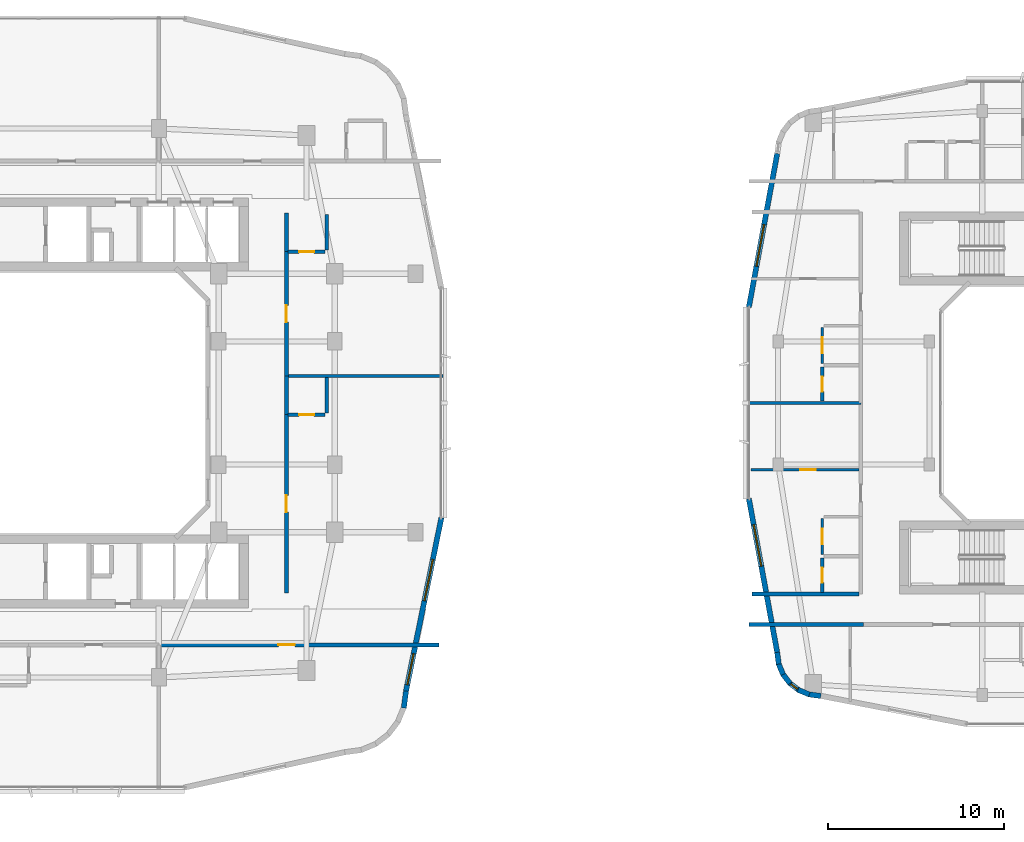
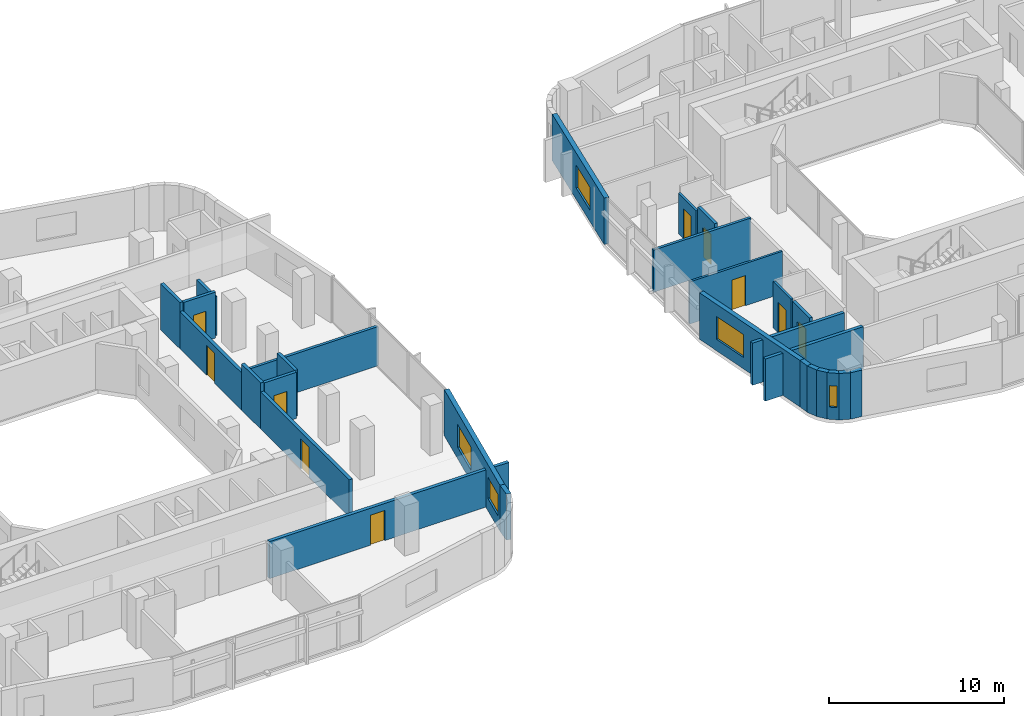
# One storey, part 14 of 25: 28 walls, 10 doors, 5 windows, 15 openings.
"""IFC4 building model written with IfcOpenShell, lengths in metres."""

from ifc_helpers import new_model, si_unit, derived_unit, direction, frame, frame_2d, origin, place, context, subcontext, project, spatial, rectangle, extrude, material, layer, layer_set, type_object, element, fill, save


model = new_model("IFC4")

# Units and contexts
model_context = context("Model", 3, precision=1e-05, world=origin(), true_north=direction((0.0, 1.0)))
body_context = subcontext(model_context, "Body", "Model", "MODEL_VIEW")
ifc_project = project(units=[si_unit("LENGTHUNIT", "METRE"), si_unit("AREAUNIT", "SQUARE_METRE"), si_unit("VOLUMEUNIT", "CUBIC_METRE"), si_unit("PLANEANGLEUNIT", "RADIAN"), si_unit("MASSUNIT", "GRAM", prefix="KILO"), derived_unit("THERMALTRANSMITTANCEUNIT", [(si_unit("POWERUNIT", "WATT"), 1), (si_unit("LENGTHUNIT", "METRE"), -2), (si_unit("THERMODYNAMICTEMPERATUREUNIT", "KELVIN"), -1)])], contexts=[model_context])

# Site, building, storey
site_placement = place(None, origin())
site = spatial("IfcSite", under=ifc_project, at=site_placement, CompositionType="ELEMENT")
building_placement = place(site_placement, origin())
building = spatial("IfcBuilding", under=site, at=building_placement, Name="Kivonza Crest Hotel", CompositionType="ELEMENT")
storey_placement = place(building_placement, frame((0.0, 0.0, 83.5)))
storey = spatial("IfcBuildingStorey", under=building, at=storey_placement, Name="L22", CompositionType="ELEMENT", Elevation=83.5)

# Walls
ifc_material_1 = material(Name="High-density acoustic masonry inter-tenancy wall", Category="masonry")
ifc_layer_1 = layer(ifc_material_1, 0.179931640625)
ifc_layer_set_1 = layer_set([ifc_layer_1], Name="High-density acoustic masonry inter-tenancy wall")
wall_type_1 = type_object("IfcWallType", Name="WL-ACOU-180", PredefinedType="SOLIDWALL", material=ifc_layer_set_1)
wall_1_placement = place(storey_placement, frame((33.050048828125, 26.5400390625, 0.0), z_axis=(0.0, 0.0, 1.0), x_axis=(1.0, 0.0, 0.0)))
element("IfcWall", 1, at=wall_1_placement, inside=storey, type_object=wall_type_1, Name="L22 interior partition WA-L22-T1E-DIV1", PredefinedType="SOLIDWALL", context=body_context, shape_type="SweptSolid", body=[
    extrude(rectangle(XDim=8.889892578125, YDim=0.179931640625, at=frame_2d((4.44482421875, 0.0))), origin(), (0.0, 0.0, 1.0), 2.7451171875),
])
wall_2_placement = place(storey_placement, frame((59.260009765625, 25.0, 0.0), z_axis=(0.0, 0.0, 1.0), x_axis=(1.0, 0.0, 0.0)))
element("IfcWall", 2, at=wall_2_placement, inside=storey, type_object=wall_type_1, Name="L22 interior partition WA-L22-T2W-DIV1", PredefinedType="SOLIDWALL", context=body_context, shape_type="SweptSolid", body=[
    extrude(rectangle(XDim=6.43994140625, YDim=0.179931640625, at=frame_2d((3.219970703125, 0.0))), origin(), (0.0, 0.0, 1.0), 2.945068359375),
])

# Wall, opening, door
ifc_material_2 = material(Name="Autoclaved aerated concrete blockwork", Category="masonry")
ifc_layer_2 = layer(ifc_material_2, 0.219970703125)
ifc_layer_set_2 = layer_set([ifc_layer_2], Name="Autoclaved aerated concrete blockwork")
wall_type_2 = type_object("IfcWallType", Name="WL-ACOU-220", PredefinedType="SOLIDWALL", material=ifc_layer_set_2)
wall_3_placement = place(storey_placement, frame((25.89990234375, 11.25, 0.0), z_axis=(0.0, 0.0, 1.0), x_axis=(1.0, 0.0, 0.0)))
wall_3 = element("IfcWall", 3, at=wall_3_placement, inside=storey, type_object=wall_type_2, Name="L22 interior partition WA-L22-BUS-MTG-N", PredefinedType="SOLIDWALL", context=body_context, shape_type="SweptSolid", body=[
    extrude(rectangle(XDim=15.840087890625, YDim=0.219970703125, at=frame_2d((7.919921875, 0.0))), origin(), (0.0, 0.0, 1.0), 2.594970703125),
])
opening_1_placement = place(wall_3_placement, frame((6.69091796875, 0.0, 0.0)))
opening_1 = element("IfcOpeningElement", 4, at=opening_1_placement, cuts=wall_3, Name="Opening DF-60S", PredefinedType="OPENING", context=body_context, shape_type="SweptSolid", body=[
    extrude(rectangle(XDim=0.949951171875, YDim=2.10009765625, at=frame_2d((0.47509765625, 1.050048828125))), frame((0.0, 0.1201171875, 0.0), z_axis=(0.0, -1.0, 0.0), x_axis=(1.0, 0.0, 0.0)), (0.0, 0.0, 1.0), 0.239990234375),
])
ifc_material_3 = material(Name="Hardwood timber oak", Category="wood")
door_type_1 = type_object("IfcDoorType", Name="DR-FD60-950", OperationType="NOTDEFINED", PredefinedType="DOOR", material=ifc_material_3)
door_1_placement = place(opening_1_placement, frame((0.949951171875, 0.0, 0.0), z_axis=(0.0, 0.0, 1.0), x_axis=(-1.0, 0.0, 0.0)))
door_1 = element("IfcDoor", 5, at=door_1_placement, inside=storey, type_object=door_type_1, Name="L22 Guest Business Office door", OperationType="SINGLE_SWING_RIGHT", OverallHeight=2.10009765625, OverallWidth=0.949951171875, PredefinedType="DOOR", context=body_context, shape_type="SweptSolid", body=[
    extrude(rectangle(XDim=0.949951171875, YDim=2.10009765625, at=frame_2d((0.47509765625, 1.050048828125))), frame((0.0, 0.02490234375, 0.0), z_axis=(0.0, -1.0, 0.0), x_axis=(1.0, 0.0, 0.0)), (0.0, 0.0, 1.0), 0.050048828125),
])
fill(opening_1, door_1)

# Wall
wall_4_placement = place(storey_placement, frame((33.050048828125, 24.340087890625, 0.0), z_axis=(0.0, 0.0, 1.0), x_axis=(0.0, 1.0, 0.0)))
element("IfcWall", 6, at=wall_4_placement, inside=storey, type_object=wall_type_2, Name="L22 interior partition WA-L22-E08-BCORR", PredefinedType="SOLIDWALL", context=body_context, shape_type="SweptSolid", body=[
    extrude(rectangle(XDim=2.199951171875, YDim=0.219970703125, at=frame_2d((1.10009765625, 0.0))), origin(), (0.0, 0.0, 1.0), 3.219970703125),
])

# Wall, opening, door
wall_5_placement = place(storey_placement, frame((33.050048828125, 14.199951171875, 0.0), z_axis=(0.0, 0.0, 1.0), x_axis=(0.0, 1.0, 0.0)))
wall_5 = element("IfcWall", 7, at=wall_5_placement, inside=storey, type_object=wall_type_2, Name="L22 interior partition WA-L22-E08-MCORR", PredefinedType="SOLIDWALL", context=body_context, shape_type="SweptSolid", body=[
    extrude(rectangle(XDim=10.14013671875, YDim=0.219970703125, at=frame_2d((5.070068359375, 0.0))), origin(), (0.0, 0.0, 1.0), 2.594970703125),
])
opening_2_placement = place(wall_5_placement, frame((4.594970703125, 0.0, 0.0)))
opening_2 = element("IfcOpeningElement", 8, at=opening_2_placement, cuts=wall_5, Name="Opening DU-60", PredefinedType="OPENING", context=body_context, shape_type="SweptSolid", body=[
    extrude(rectangle(XDim=0.949951171875, YDim=2.10009765625, at=frame_2d((0.47509765625, 1.050048828125))), frame((0.0, 0.1201171875, 0.0), z_axis=(0.0, -1.0, 0.0), x_axis=(1.0, 0.0, 0.0)), (0.0, 0.0, 1.0), 0.239990234375),
])
door_type_2 = type_object("IfcDoorType", Name="DR-UNIT-950", OperationType="NOTDEFINED", PredefinedType="DOOR", material=ifc_material_3)
door_2_placement = place(opening_2_placement, frame((0.949951171875, 0.0, 0.0), z_axis=(0.0, 0.0, 1.0), x_axis=(-1.0, 0.0, 0.0)))
door_2 = element("IfcDoor", 9, at=door_2_placement, inside=storey, type_object=door_type_2, Name="L22 E08 guest unit entrance fire door", OperationType="SINGLE_SWING_RIGHT", OverallHeight=2.10009765625, OverallWidth=0.949951171875, PredefinedType="DOOR", context=body_context, shape_type="SweptSolid", body=[
    extrude(rectangle(XDim=0.949951171875, YDim=2.10009765625, at=frame_2d((0.47509765625, 1.050048828125))), frame((0.0, 0.02490234375, 0.0), z_axis=(0.0, -1.0, 0.0), x_axis=(1.0, 0.0, 0.0)), (0.0, 0.0, 1.0), 0.050048828125),
])
fill(opening_2, door_2)

# Wall
wall_6_placement = place(storey_placement, frame((33.050048828125, 33.60009765625, 0.0), z_axis=(0.0, 0.0, 1.0), x_axis=(0.0, 1.0, 0.0)))
element("IfcWall", 10, at=wall_6_placement, inside=storey, type_object=wall_type_2, Name="L22 interior partition WA-L22-E09-BCORR", PredefinedType="SOLIDWALL", context=body_context, shape_type="SweptSolid", body=[
    extrude(rectangle(XDim=2.199951171875, YDim=0.219970703125, at=frame_2d((1.10009765625, 0.0))), origin(), (0.0, 0.0, 1.0), 3.219970703125),
])

# Wall, opening, door
wall_7_placement = place(storey_placement, frame((33.050048828125, 26.5400390625, 0.0), z_axis=(0.0, 0.0, 1.0), x_axis=(0.0, 1.0, 0.0)))
wall_7 = element("IfcWall", 11, at=wall_7_placement, inside=storey, type_object=wall_type_2, Name="L22 interior partition WA-L22-E09-MCORR", PredefinedType="SOLIDWALL", context=body_context, shape_type="SweptSolid", body=[
    extrude(rectangle(XDim=7.06005859375, YDim=0.219970703125, at=frame_2d((3.530029296875, 0.0))), origin(), (0.0, 0.0, 1.0), 2.594970703125),
])
opening_3_placement = place(wall_7_placement, frame((3.054931640625, 0.0, 0.0)))
opening_3 = element("IfcOpeningElement", 12, at=opening_3_placement, cuts=wall_7, Name="Opening DU-60", PredefinedType="OPENING", context=body_context, shape_type="SweptSolid", body=[
    extrude(rectangle(XDim=0.949951171875, YDim=2.10009765625, at=frame_2d((0.47509765625, 1.050048828125))), frame((0.0, 0.1201171875, 0.0), z_axis=(0.0, -1.0, 0.0), x_axis=(1.0, 0.0, 0.0)), (0.0, 0.0, 1.0), 0.239990234375),
])
door_3_placement = place(opening_3_placement, frame((0.949951171875, 0.0, 0.0), z_axis=(0.0, 0.0, 1.0), x_axis=(-1.0, 0.0, 0.0)))
door_3 = element("IfcDoor", 13, at=door_3_placement, inside=storey, type_object=door_type_2, Name="L22 E09 guest unit entrance fire door", OperationType="SINGLE_SWING_LEFT", OverallHeight=2.10009765625, OverallWidth=0.949951171875, PredefinedType="DOOR", context=body_context, shape_type="SweptSolid", body=[
    extrude(rectangle(XDim=0.949951171875, YDim=2.10009765625, at=frame_2d((0.47509765625, 1.050048828125))), frame((0.0, 0.02490234375, 0.0), z_axis=(0.0, -1.0, 0.0), x_axis=(1.0, 0.0, 0.0)), (0.0, 0.0, 1.0), 0.050048828125),
])
fill(opening_3, door_3)

# Walls
wall_8_placement = place(storey_placement, frame((59.360107421875, 12.39990234375, 0.0), z_axis=(0.0, 0.0, 1.0), x_axis=(1.0, 0.0, 0.0)))
element("IfcWall", 14, at=wall_8_placement, inside=storey, type_object=wall_type_2, Name="L22 interior partition WA-L22-A03-LCORR", PredefinedType="SOLIDWALL", context=body_context, shape_type="SweptSolid", body=[
    extrude(rectangle(XDim=6.489990234375, YDim=0.219970703125, at=frame_2d((3.2451171875, 0.0))), origin(), (0.0, 0.0, 1.0), 2.945068359375),
])
wall_9_placement = place(storey_placement, frame((59.52001953125, 14.139892578125, 0.0), z_axis=(0.0, 0.0, 1.0), x_axis=(1.0, 0.0, 0.0)))
element("IfcWall", 15, at=wall_9_placement, inside=storey, type_object=wall_type_2, Name="L22 interior partition WA-L22-T2W-ENDS", PredefinedType="SOLIDWALL", context=body_context, shape_type="SweptSolid", body=[
    extrude(rectangle(XDim=6.080078125, YDim=0.219970703125, at=frame_2d((3.0400390625, 0.0))), origin(), (0.0, 0.0, 1.0), 2.945068359375),
])
ifc_material_4 = material(Name="Precast concrete C40/50", Category="concrete")
ifc_layer_3 = layer(ifc_material_4, 0.300048828125)
ifc_layer_set_3 = layer_set([ifc_layer_3], Name="Precast concrete C40/50")
wall_type_3 = type_object("IfcWallType", Name="WL-EXT-300", PredefinedType="STANDARD", material=ifc_layer_set_3)
wall_10_placement = place(storey_placement, frame((39.72509765625, 7.6630859375, 0.0), z_axis=(0.0, 0.0, 1.0), x_axis=(0.130454512571, 0.991454295543, 0.0)))
element("IfcWall", 16, at=wall_10_placement, inside=storey, type_object=wall_type_3, Name="L22 T1 exterior insulated wall 15", PredefinedType="STANDARD", context=body_context, shape_type="SweptSolid", body=[
    extrude(rectangle(XDim=0.97314453125, YDim=0.300048828125, at=frame_2d((0.486572265625, 0.0))), origin(), (0.0, 0.0, 1.0), 3.219970703125),
])

# Wall, openings, windows
wall_11_placement = place(storey_placement, frame((39.85107421875, 8.6220703125, 0.0), z_axis=(0.0, 0.0, 1.0), x_axis=(0.199990901713, 0.979797754249, 0.0)))
wall_11 = element("IfcWall", 17, at=wall_11_placement, inside=storey, type_object=wall_type_3, Name="L22 T1 exterior insulated wall 16", PredefinedType="STANDARD", context=body_context, shape_type="SweptSolid", body=[
    extrude(rectangle(XDim=10.065185546875, YDim=0.300048828125, at=frame_2d((5.03271484375, 0.0))), origin(), (0.0, 0.0, 1.0), 3.219970703125),
])
opening_4_placement = place(wall_11_placement, frame((0.3779296875, 0.0, 0.85009765625)))
opening_4 = element("IfcOpeningElement", 18, at=opening_4_placement, cuts=wall_11, Name="Opening WN-03", PredefinedType="OPENING", context=body_context, shape_type="SweptSolid", body=[
    extrude(rectangle(XDim=1.800048828125, YDim=1.5, at=frame_2d((0.89990234375, 0.75))), frame((0.0, 0.16015625, 0.0), z_axis=(0.0, -1.0, 0.0), x_axis=(1.0, 0.0, 0.0)), (0.0, 0.0, 1.0), 0.320068359375),
])
opening_5_placement = place(wall_11_placement, frame((5.236083984375, 0.0, 0.800048828125)))
opening_5 = element("IfcOpeningElement", 19, at=opening_5_placement, cuts=wall_11, Name="Opening WN-05", PredefinedType="OPENING", context=body_context, shape_type="SweptSolid", body=[
    extrude(rectangle(XDim=2.39990234375, YDim=1.60009765625, at=frame_2d((1.199951171875, 0.800048828125))), frame((0.0, 0.16015625, 0.0), z_axis=(0.0, -1.0, 0.0), x_axis=(1.0, 0.0, 0.0)), (0.0, 0.0, 1.0), 0.320068359375),
])
ifc_material_5 = material(Name="Thermally broken bronze aluminium and low-E double glazing", Category="aluminium")
window_type_1 = type_object("IfcWindowType", Name="WN-180x150", PartitioningType="DOUBLE_PANEL_VERTICAL", PredefinedType="WINDOW", material=ifc_material_5)
window_1_placement = place(opening_4_placement, origin())
window_1 = element("IfcWindow", 20, at=window_1_placement, inside=storey, type_object=window_type_1, Name="L22 T1 facade window 16 bay 1", OverallHeight=1.5, OverallWidth=1.800048828125, PartitioningType="SINGLE_PANEL", PredefinedType="WINDOW", context=body_context, shape_type="SweptSolid", body=[
    extrude(rectangle(XDim=1.800048828125, YDim=1.5, at=frame_2d((0.89990234375, 0.75))), frame((0.0, 0.030029296875, 0.0), z_axis=(0.0, -1.0, 0.0), x_axis=(1.0, 0.0, 0.0)), (0.0, 0.0, 1.0), 0.06005859375),
])
fill(opening_4, window_1)
window_type_2 = type_object("IfcWindowType", Name="WN-240x160", PartitioningType="TRIPLE_PANEL_VERTICAL", PredefinedType="WINDOW", material=ifc_material_5)
window_2_placement = place(opening_5_placement, origin())
window_2 = element("IfcWindow", 21, at=window_2_placement, inside=storey, type_object=window_type_2, Name="L22 T1 facade window 16 bay 2", OverallHeight=1.60009765625, OverallWidth=2.39990234375, PartitioningType="SINGLE_PANEL", PredefinedType="WINDOW", context=body_context, shape_type="SweptSolid", body=[
    extrude(rectangle(XDim=2.39990234375, YDim=1.60009765625, at=frame_2d((1.199951171875, 0.800048828125))), frame((0.0, 0.030029296875, 0.0), z_axis=(0.0, -1.0, 0.0), x_axis=(1.0, 0.0, 0.0)), (0.0, 0.0, 1.0), 0.06005859375),
])
fill(opening_5, window_2)

# Walls
wall_12_placement = place(storey_placement, frame((60.947998046875, 10.827880859375, 0.0), z_axis=(0.0, 0.0, 1.0), x_axis=(0.131667498923, -0.991293937098, 0.0)))
element("IfcWall", 22, at=wall_12_placement, inside=storey, type_object=wall_type_3, Name="L22 T2 exterior insulated wall 1", PredefinedType="STANDARD", context=body_context, shape_type="SweptSolid", body=[
    extrude(rectangle(XDim=0.6767578125, YDim=0.300048828125, at=frame_2d((0.33837890625, 0.0))), origin(), (0.0, 0.0, 1.0), 3.25),
])
wall_13_placement = place(storey_placement, frame((61.01806640625, 10.20703125, 0.0), z_axis=(0.0, 0.0, 1.0), x_axis=(0.381864727877, -0.92421822618, 0.0)))
element("IfcWall", 23, at=wall_13_placement, inside=storey, type_object=wall_type_3, Name="L22 T2 exterior insulated wall 2", PredefinedType="STANDARD", context=body_context, shape_type="SweptSolid", body=[
    extrude(rectangle(XDim=0.693603515625, YDim=0.300048828125, at=frame_2d((0.3466796875, 0.0))), origin(), (0.0, 0.0, 1.0), 3.25),
])
wall_14_placement = place(storey_placement, frame((61.251953125, 9.611083984375, 0.0), z_axis=(0.0, 0.0, 1.0), x_axis=(0.609693758543, -0.792637067512, 0.0)))
element("IfcWall", 24, at=wall_14_placement, inside=storey, type_object=wall_type_3, Name="L22 T2 exterior insulated wall 3", PredefinedType="STANDARD", context=body_context, shape_type="SweptSolid", body=[
    extrude(rectangle(XDim=0.69384765625, YDim=0.300048828125, at=frame_2d((0.346923828125, 0.0))), origin(), (0.0, 0.0, 1.0), 3.25),
])

# Wall, opening, window
wall_15_placement = place(storey_placement, frame((61.633056640625, 9.095947265625, 0.0), z_axis=(0.0, 0.0, 1.0), x_axis=(0.792807092876, -0.609472651958, 0.0)))
wall_15 = element("IfcWall", 25, at=wall_15_placement, inside=storey, type_object=wall_type_3, Name="L22 T2 exterior insulated wall 4", PredefinedType="STANDARD", context=body_context, shape_type="SweptSolid", body=[
    extrude(rectangle(XDim=0.69384765625, YDim=0.300048828125, at=frame_2d((0.346923828125, 0.0))), origin(), (0.0, 0.0, 1.0), 3.25),
])
opening_6_placement = place(wall_15_placement, frame((0.1220703125, 0.0, 0.85009765625)))
opening_6 = element("IfcOpeningElement", 26, at=opening_6_placement, cuts=wall_15, Name="Opening WN-11", PredefinedType="OPENING", context=body_context, shape_type="SweptSolid", body=[
    extrude(rectangle(XDim=0.449951171875, YDim=1.5, at=frame_2d((0.22509765625, 0.75))), frame((0.0, 0.16015625, 0.0), z_axis=(0.0, -1.0, 0.0), x_axis=(1.0, 0.0, 0.0)), (0.0, 0.0, 1.0), 0.320068359375),
])
window_type_3 = type_object("IfcWindowType", Name="WN-045x150", PartitioningType="SINGLE_PANEL", PredefinedType="WINDOW", material=ifc_material_5)
window_3_placement = place(opening_6_placement, origin())
window_3 = element("IfcWindow", 27, at=window_3_placement, inside=storey, type_object=window_type_3, Name="L22 corner vision window 3", OverallHeight=1.5, OverallWidth=0.449951171875, PartitioningType="SINGLE_PANEL", PredefinedType="WINDOW", context=body_context, shape_type="SweptSolid", body=[
    extrude(rectangle(XDim=0.449951171875, YDim=1.5, at=frame_2d((0.22509765625, 0.75))), frame((0.0, 0.030029296875, 0.0), z_axis=(0.0, -1.0, 0.0), x_axis=(1.0, 0.0, 0.0)), (0.0, 0.0, 1.0), 0.06005859375),
])
fill(opening_6, window_3)

# Walls
wall_16_placement = place(storey_placement, frame((62.134033203125, 8.697021484375, 0.0), z_axis=(0.0, 0.0, 1.0), x_axis=(0.924042561464, -0.382289608286, 0.0)))
element("IfcWall", 28, at=wall_16_placement, inside=storey, type_object=wall_type_3, Name="L22 T2 exterior insulated wall 5", PredefinedType="STANDARD", context=body_context, shape_type="SweptSolid", body=[
    extrude(rectangle(XDim=0.693603515625, YDim=0.300048828125, at=frame_2d((0.3466796875, 0.0))), origin(), (0.0, 0.0, 1.0), 3.25),
])
wall_17_placement = place(storey_placement, frame((62.721923828125, 8.44091796875, 0.0), z_axis=(0.0, 0.0, 1.0), x_axis=(0.991433279471, -0.130614135366, 0.0)))
element("IfcWall", 29, at=wall_17_placement, inside=storey, type_object=wall_type_3, Name="L22 T2 exterior insulated wall 6", PredefinedType="STANDARD", context=body_context, shape_type="SweptSolid", body=[
    extrude(rectangle(XDim=0.712158203125, YDim=0.300048828125, at=frame_2d((0.35595703125, 0.0))), origin(), (0.0, 0.0, 1.0), 3.25),
])

# Wall, opening, window
wall_18_placement = place(storey_placement, frame((60.948974609375, 39.180908203125, 0.0), z_axis=(0.0, 0.0, 1.0), x_axis=(-0.181241420611, -0.983438634311, 0.0)))
wall_18 = element("IfcWall", 30, at=wall_18_placement, inside=storey, type_object=wall_type_3, Name="L22 T2 exterior insulated wall 34", PredefinedType="STANDARD", context=body_context, shape_type="SweptSolid", body=[
    extrude(rectangle(XDim=8.88916015625, YDim=0.300048828125, at=frame_2d((4.444580078125, 0.0))), origin(), (0.0, 0.0, 1.0), 3.25),
])
opening_7_placement = place(wall_18_placement, frame((4.10888671875, 0.0, 0.800048828125)))
opening_7 = element("IfcOpeningElement", 31, at=opening_7_placement, cuts=wall_18, Name="Opening WN-05", PredefinedType="OPENING", context=body_context, shape_type="SweptSolid", body=[
    extrude(rectangle(XDim=2.39990234375, YDim=1.60009765625, at=frame_2d((1.199951171875, 0.800048828125))), frame((0.0, 0.16015625, 0.0), z_axis=(0.0, -1.0, 0.0), x_axis=(1.0, 0.0, 0.0)), (0.0, 0.0, 1.0), 0.320068359375),
])
window_4_placement = place(opening_7_placement, origin())
window_4 = element("IfcWindow", 32, at=window_4_placement, inside=storey, type_object=window_type_2, Name="L22 T2 facade window 34", OverallHeight=1.60009765625, OverallWidth=2.39990234375, PartitioningType="SINGLE_PANEL", PredefinedType="WINDOW", context=body_context, shape_type="SweptSolid", body=[
    extrude(rectangle(XDim=2.39990234375, YDim=1.60009765625, at=frame_2d((1.199951171875, 0.800048828125))), frame((0.0, 0.030029296875, 0.0), z_axis=(0.0, -1.0, 0.0), x_axis=(1.0, 0.0, 0.0)), (0.0, 0.0, 1.0), 0.06005859375),
])
fill(opening_7, window_4)

wall_19_placement = place(storey_placement, frame((59.337890625, 19.56103515625, 0.0), z_axis=(0.0, 0.0, 1.0), x_axis=(0.181241420611, -0.983438634311, 0.0)))
wall_19 = element("IfcWall", 33, at=wall_19_placement, inside=storey, type_object=wall_type_3, Name="L22 T2 exterior insulated wall 36", PredefinedType="STANDARD", context=body_context, shape_type="SweptSolid", body=[
    extrude(rectangle(XDim=8.88916015625, YDim=0.300048828125, at=frame_2d((4.444580078125, 0.0))), origin(), (0.0, 0.0, 1.0), 3.25),
])
opening_8_placement = place(wall_19_placement, frame((1.4970703125, 0.0, 0.800048828125)))
opening_8 = element("IfcOpeningElement", 34, at=opening_8_placement, cuts=wall_19, Name="Opening WN-05", PredefinedType="OPENING", context=body_context, shape_type="SweptSolid", body=[
    extrude(rectangle(XDim=2.39990234375, YDim=1.60009765625, at=frame_2d((1.199951171875, 0.800048828125))), frame((0.0, 0.16015625, 0.0), z_axis=(0.0, -1.0, 0.0), x_axis=(1.0, 0.0, 0.0)), (0.0, 0.0, 1.0), 0.320068359375),
])
window_5_placement = place(opening_8_placement, origin())
window_5 = element("IfcWindow", 35, at=window_5_placement, inside=storey, type_object=window_type_2, Name="L22 T2 facade window 36", OverallHeight=1.60009765625, OverallWidth=2.39990234375, PartitioningType="SINGLE_PANEL", PredefinedType="WINDOW", context=body_context, shape_type="SweptSolid", body=[
    extrude(rectangle(XDim=2.39990234375, YDim=1.60009765625, at=frame_2d((1.199951171875, 0.800048828125))), frame((0.0, 0.030029296875, 0.0), z_axis=(0.0, -1.0, 0.0), x_axis=(1.0, 0.0, 0.0)), (0.0, 0.0, 1.0), 0.06005859375),
])
fill(opening_8, window_5)

# Wall, opening, door
ifc_material_6 = material(Name="Twin-stud acoustic gypsum board partition", Category="gypsum")
ifc_layer_4 = layer(ifc_material_6, 0.14990234375)
ifc_layer_set_4 = layer_set([ifc_layer_4], Name="Twin-stud acoustic gypsum board partition")
wall_type_4 = type_object("IfcWallType", Name="WL-PART-150", PredefinedType="PARTITIONING", material=ifc_layer_set_4)
wall_20_placement = place(storey_placement, frame((59.4599609375, 21.199951171875, 0.0), z_axis=(0.0, 0.0, 1.0), x_axis=(1.0, 0.0, 0.0)))
wall_20 = element("IfcWall", 36, at=wall_20_placement, inside=storey, type_object=wall_type_4, Name="L22 interior partition WP-L22-A05-BD1", PredefinedType="PARTITIONING", context=body_context, shape_type="SweptSolid", body=[
    extrude(rectangle(XDim=6.14013671875, YDim=0.14990234375, at=frame_2d((3.070068359375, 0.0))), origin(), (0.0, 0.0, 1.0), 2.945068359375),
])
opening_9_placement = place(wall_20_placement, frame((2.7900390625, 0.0, 0.0)))
opening_9 = element("IfcOpeningElement", 37, at=opening_9_placement, cuts=wall_20, Name="Opening DI-90", PredefinedType="OPENING", context=body_context, shape_type="SweptSolid", body=[
    extrude(rectangle(XDim=0.89990234375, YDim=2.10009765625, at=frame_2d((0.449951171875, 1.050048828125))), frame((0.0, 0.0849609375, 0.0), z_axis=(0.0, -1.0, 0.0), x_axis=(1.0, 0.0, 0.0)), (0.0, 0.0, 1.0), 0.169921875),
])
door_type_3 = type_object("IfcDoorType", Name="DR-INT-900", OperationType="NOTDEFINED", PredefinedType="DOOR", material=ifc_material_3)
door_4_placement = place(opening_9_placement, origin())
door_4 = element("IfcDoor", 38, at=door_4_placement, inside=storey, type_object=door_type_3, Name="L22 A05 bedroom door", OperationType="SINGLE_SWING_RIGHT", OverallHeight=2.10009765625, OverallWidth=0.89990234375, PredefinedType="DOOR", context=body_context, shape_type="SweptSolid", body=[
    extrude(rectangle(XDim=0.89990234375, YDim=2.10009765625, at=frame_2d((0.449951171875, 1.050048828125))), frame((0.0, 0.02490234375, 0.0), z_axis=(0.0, -1.0, 0.0), x_axis=(1.0, 0.0, 0.0)), (0.0, 0.0, 1.0), 0.050048828125),
])
fill(opening_9, door_4)

wall_21_placement = place(storey_placement, frame((63.5, 16.389892578125, 0.0), z_axis=(0.0, 0.0, 1.0), x_axis=(0.0, 1.0, 0.0)))
wall_21 = element("IfcWall", 39, at=wall_21_placement, inside=storey, type_object=wall_type_4, Name="L22 interior partition WP-L22-A05-KSVC", PredefinedType="PARTITIONING", context=body_context, shape_type="SweptSolid", body=[
    extrude(rectangle(XDim=2.050048828125, YDim=0.14990234375, at=frame_2d((1.02490234375, 0.0))), origin(), (0.0, 0.0, 1.0), 3.219970703125),
])
opening_10_placement = place(wall_21_placement, frame((0.574951171875, 0.0, 0.0)))
opening_10 = element("IfcOpeningElement", 40, at=opening_10_placement, cuts=wall_21, Name="Opening DI-90", PredefinedType="OPENING", context=body_context, shape_type="SweptSolid", body=[
    extrude(rectangle(XDim=0.89990234375, YDim=2.10009765625, at=frame_2d((0.449951171875, 1.050048828125))), frame((0.0, 0.0849609375, 0.0), z_axis=(0.0, -1.0, 0.0), x_axis=(1.0, 0.0, 0.0)), (0.0, 0.0, 1.0), 0.169921875),
])
door_5_placement = place(opening_10_placement, origin())
door_5 = element("IfcDoor", 41, at=door_5_placement, inside=storey, type_object=door_type_3, Name="L22 A05 apartment kitchen door", OperationType="SINGLE_SWING_LEFT", OverallHeight=2.10009765625, OverallWidth=0.89990234375, PredefinedType="DOOR", context=body_context, shape_type="SweptSolid", body=[
    extrude(rectangle(XDim=0.89990234375, YDim=2.10009765625, at=frame_2d((0.449951171875, 1.050048828125))), frame((0.0, 0.02490234375, 0.0), z_axis=(0.0, -1.0, 0.0), x_axis=(1.0, 0.0, 0.0)), (0.0, 0.0, 1.0), 0.050048828125),
])
fill(opening_10, door_5)

wall_22_placement = place(storey_placement, frame((63.5, 27.25, 0.0), z_axis=(0.0, 0.0, 1.0), x_axis=(0.0, 1.0, 0.0)))
wall_22 = element("IfcWall", 42, at=wall_22_placement, inside=storey, type_object=wall_type_4, Name="L22 interior partition WP-L22-A06-KSVC", PredefinedType="PARTITIONING", context=body_context, shape_type="SweptSolid", body=[
    extrude(rectangle(XDim=2.050048828125, YDim=0.14990234375, at=frame_2d((1.02490234375, 0.0))), origin(), (0.0, 0.0, 1.0), 2.824951171875),
])
opening_11_placement = place(wall_22_placement, frame((0.574951171875, 0.0, 0.0)))
opening_11 = element("IfcOpeningElement", 43, at=opening_11_placement, cuts=wall_22, Name="Opening DI-90", PredefinedType="OPENING", context=body_context, shape_type="SweptSolid", body=[
    extrude(rectangle(XDim=0.89990234375, YDim=2.10009765625, at=frame_2d((0.449951171875, 1.050048828125))), frame((0.0, 0.0849609375, 0.0), z_axis=(0.0, -1.0, 0.0), x_axis=(1.0, 0.0, 0.0)), (0.0, 0.0, 1.0), 0.169921875),
])
door_6_placement = place(opening_11_placement, origin())
door_6 = element("IfcDoor", 44, at=door_6_placement, inside=storey, type_object=door_type_3, Name="L22 A06 apartment kitchen door", OperationType="SINGLE_SWING_RIGHT", OverallHeight=2.10009765625, OverallWidth=0.89990234375, PredefinedType="DOOR", context=body_context, shape_type="SweptSolid", body=[
    extrude(rectangle(XDim=0.89990234375, YDim=2.10009765625, at=frame_2d((0.449951171875, 1.050048828125))), frame((0.0, 0.02490234375, 0.0), z_axis=(0.0, -1.0, 0.0), x_axis=(1.0, 0.0, 0.0)), (0.0, 0.0, 1.0), 0.050048828125),
])
fill(opening_11, door_6)

ifc_material_7 = material(Name="Moisture-resistant plumbing chase partition wall", Category="gypsum")
ifc_layer_5 = layer(ifc_material_7, 0.199951171875)
ifc_layer_set_5 = layer_set([ifc_layer_5], Name="Moisture-resistant plumbing chase partition wall")
wall_type_5 = type_object("IfcWallType", Name="WL-PLUMB-200", PredefinedType="PLUMBINGWALL", material=ifc_layer_set_5)
wall_23_placement = place(storey_placement, frame((33.14990234375, 24.340087890625, 0.0), z_axis=(0.0, 0.0, 1.0), x_axis=(1.0, 0.0, 0.0)))
wall_23 = element("IfcWall", 45, at=wall_23_placement, inside=storey, type_object=wall_type_5, Name="L22 interior partition WW-L22-E08-BH", PredefinedType="PLUMBINGWALL", context=body_context, shape_type="SweptSolid", body=[
    extrude(rectangle(XDim=2.10009765625, YDim=0.199951171875, at=frame_2d((1.050048828125, 0.0))), origin(), (0.0, 0.0, 1.0), 3.219970703125),
])
opening_12_placement = place(wall_23_placement, frame((0.625, 0.0, 0.0)))
opening_12 = element("IfcOpeningElement", 46, at=opening_12_placement, cuts=wall_23, Name="Opening DI-85", PredefinedType="OPENING", context=body_context, shape_type="SweptSolid", body=[
    extrude(rectangle(XDim=0.85009765625, YDim=2.10009765625, at=frame_2d((0.425048828125, 1.050048828125))), frame((0.0, 0.10986328125, 0.0), z_axis=(0.0, -1.0, 0.0), x_axis=(1.0, 0.0, 0.0)), (0.0, 0.0, 1.0), 0.219970703125),
])
door_type_4 = type_object("IfcDoorType", Name="DR-INT-850", OperationType="NOTDEFINED", PredefinedType="DOOR", material=ifc_material_3)
door_7_placement = place(opening_12_placement, frame((0.85009765625, 0.0, 0.0), z_axis=(0.0, 0.0, 1.0), x_axis=(-1.0, 0.0, 0.0)))
door_7 = element("IfcDoor", 47, at=door_7_placement, inside=storey, type_object=door_type_4, Name="L22 E08 en-suite bathroom door", OperationType="SINGLE_SWING_LEFT", OverallHeight=2.10009765625, OverallWidth=0.85009765625, PredefinedType="DOOR", context=body_context, shape_type="SweptSolid", body=[
    extrude(rectangle(XDim=0.85009765625, YDim=2.10009765625, at=frame_2d((0.425048828125, 1.050048828125))), frame((0.0, 0.02490234375, 0.0), z_axis=(0.0, -1.0, 0.0), x_axis=(1.0, 0.0, 0.0)), (0.0, 0.0, 1.0), 0.050048828125),
])
fill(opening_12, door_7)

# Wall
wall_24_placement = place(storey_placement, frame((35.35009765625, 24.43994140625, 0.0), z_axis=(0.0, 0.0, 1.0), x_axis=(0.0, 1.0, 0.0)))
element("IfcWall", 48, at=wall_24_placement, inside=storey, type_object=wall_type_5, Name="L22 interior partition WW-L22-E08-BV", PredefinedType="PLUMBINGWALL", context=body_context, shape_type="SweptSolid", body=[
    extrude(rectangle(XDim=2.0, YDim=0.199951171875, at=frame_2d((1.0, 0.0))), origin(), (0.0, 0.0, 1.0), 3.219970703125),
])

# Wall, opening, door
wall_25_placement = place(storey_placement, frame((33.14990234375, 33.60009765625, 0.0), z_axis=(0.0, 0.0, 1.0), x_axis=(1.0, 0.0, 0.0)))
wall_25 = element("IfcWall", 49, at=wall_25_placement, inside=storey, type_object=wall_type_5, Name="L22 interior partition WW-L22-E09-BH", PredefinedType="PLUMBINGWALL", context=body_context, shape_type="SweptSolid", body=[
    extrude(rectangle(XDim=2.10009765625, YDim=0.199951171875, at=frame_2d((1.050048828125, 0.0))), origin(), (0.0, 0.0, 1.0), 3.219970703125),
])
opening_13_placement = place(wall_25_placement, frame((0.625, 0.0, 0.0)))
opening_13 = element("IfcOpeningElement", 50, at=opening_13_placement, cuts=wall_25, Name="Opening DI-85", PredefinedType="OPENING", context=body_context, shape_type="SweptSolid", body=[
    extrude(rectangle(XDim=0.85009765625, YDim=2.10009765625, at=frame_2d((0.425048828125, 1.050048828125))), frame((0.0, 0.10986328125, 0.0), z_axis=(0.0, -1.0, 0.0), x_axis=(1.0, 0.0, 0.0)), (0.0, 0.0, 1.0), 0.219970703125),
])
door_8_placement = place(opening_13_placement, frame((0.85009765625, 0.0, 0.0), z_axis=(0.0, 0.0, 1.0), x_axis=(-1.0, 0.0, 0.0)))
door_8 = element("IfcDoor", 51, at=door_8_placement, inside=storey, type_object=door_type_4, Name="L22 E09 en-suite bathroom door", OperationType="SINGLE_SWING_RIGHT", OverallHeight=2.10009765625, OverallWidth=0.85009765625, PredefinedType="DOOR", context=body_context, shape_type="SweptSolid", body=[
    extrude(rectangle(XDim=0.85009765625, YDim=2.10009765625, at=frame_2d((0.425048828125, 1.050048828125))), frame((0.0, 0.02490234375, 0.0), z_axis=(0.0, -1.0, 0.0), x_axis=(1.0, 0.0, 0.0)), (0.0, 0.0, 1.0), 0.050048828125),
])
fill(opening_13, door_8)

# Wall
wall_26_placement = place(storey_placement, frame((35.35009765625, 33.699951171875, 0.0), z_axis=(0.0, 0.0, 1.0), x_axis=(0.0, 1.0, 0.0)))
element("IfcWall", 52, at=wall_26_placement, inside=storey, type_object=wall_type_5, Name="L22 interior partition WW-L22-E09-BV", PredefinedType="PLUMBINGWALL", context=body_context, shape_type="SweptSolid", body=[
    extrude(rectangle(XDim=2.0, YDim=0.199951171875, at=frame_2d((1.0, 0.0))), origin(), (0.0, 0.0, 1.0), 2.7451171875),
])

# Wall, opening, door
wall_27_placement = place(storey_placement, frame((63.5, 14.239990234375, 0.0), z_axis=(0.0, 0.0, 1.0), x_axis=(0.0, 1.0, 0.0)))
wall_27 = element("IfcWall", 53, at=wall_27_placement, inside=storey, type_object=wall_type_5, Name="L22 interior partition WW-L22-A05-BSVC", PredefinedType="PLUMBINGWALL", context=body_context, shape_type="SweptSolid", body=[
    extrude(rectangle(XDim=1.949951171875, YDim=0.199951171875, at=frame_2d((0.97509765625, 0.0))), origin(), (0.0, 0.0, 1.0), 3.219970703125),
])
opening_14_placement = place(wall_27_placement, frame((0.550048828125, 0.0, 0.0)))
opening_14 = element("IfcOpeningElement", 54, at=opening_14_placement, cuts=wall_27, Name="Opening DI-85", PredefinedType="OPENING", context=body_context, shape_type="SweptSolid", body=[
    extrude(rectangle(XDim=0.85009765625, YDim=2.10009765625, at=frame_2d((0.425048828125, 1.050048828125))), frame((0.0, 0.10986328125, 0.0), z_axis=(0.0, -1.0, 0.0), x_axis=(1.0, 0.0, 0.0)), (0.0, 0.0, 1.0), 0.219970703125),
])
door_9_placement = place(opening_14_placement, origin())
door_9 = element("IfcDoor", 55, at=door_9_placement, inside=storey, type_object=door_type_4, Name="L22 A05 apartment bathroom door", OperationType="SINGLE_SWING_RIGHT", OverallHeight=2.10009765625, OverallWidth=0.85009765625, PredefinedType="DOOR", context=body_context, shape_type="SweptSolid", body=[
    extrude(rectangle(XDim=0.85009765625, YDim=2.10009765625, at=frame_2d((0.425048828125, 1.050048828125))), frame((0.0, 0.02490234375, 0.0), z_axis=(0.0, -1.0, 0.0), x_axis=(1.0, 0.0, 0.0)), (0.0, 0.0, 1.0), 0.050048828125),
])
fill(opening_14, door_9)

wall_28_placement = place(storey_placement, frame((63.5, 25.10009765625, 0.0), z_axis=(0.0, 0.0, 1.0), x_axis=(0.0, 1.0, 0.0)))
wall_28 = element("IfcWall", 56, at=wall_28_placement, inside=storey, type_object=wall_type_5, Name="L22 interior partition WW-L22-A06-BSVC", PredefinedType="PLUMBINGWALL", context=body_context, shape_type="SweptSolid", body=[
    extrude(rectangle(XDim=1.949951171875, YDim=0.199951171875, at=frame_2d((0.97509765625, 0.0))), origin(), (0.0, 0.0, 1.0), 3.219970703125),
])
opening_15_placement = place(wall_28_placement, frame((0.550048828125, 0.0, 0.0)))
opening_15 = element("IfcOpeningElement", 57, at=opening_15_placement, cuts=wall_28, Name="Opening DI-85", PredefinedType="OPENING", context=body_context, shape_type="SweptSolid", body=[
    extrude(rectangle(XDim=0.85009765625, YDim=2.10009765625, at=frame_2d((0.425048828125, 1.050048828125))), frame((0.0, 0.10986328125, 0.0), z_axis=(0.0, -1.0, 0.0), x_axis=(1.0, 0.0, 0.0)), (0.0, 0.0, 1.0), 0.219970703125),
])
door_10_placement = place(opening_15_placement, origin())
door_10 = element("IfcDoor", 58, at=door_10_placement, inside=storey, type_object=door_type_4, Name="L22 A06 apartment bathroom door", OperationType="SINGLE_SWING_LEFT", OverallHeight=2.10009765625, OverallWidth=0.85009765625, PredefinedType="DOOR", context=body_context, shape_type="SweptSolid", body=[
    extrude(rectangle(XDim=0.85009765625, YDim=2.10009765625, at=frame_2d((0.425048828125, 1.050048828125))), frame((0.0, 0.02490234375, 0.0), z_axis=(0.0, -1.0, 0.0), x_axis=(1.0, 0.0, 0.0)), (0.0, 0.0, 1.0), 0.050048828125),
])
fill(opening_15, door_10)

save(model, "model.ifc")
